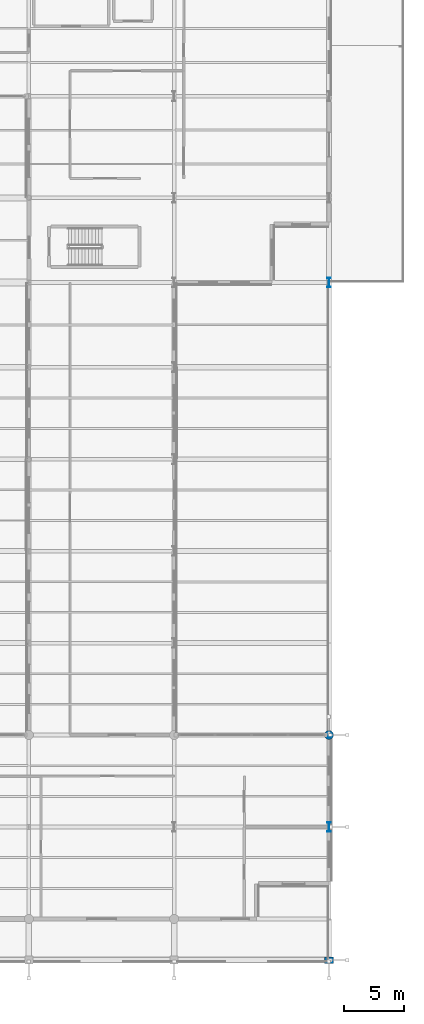
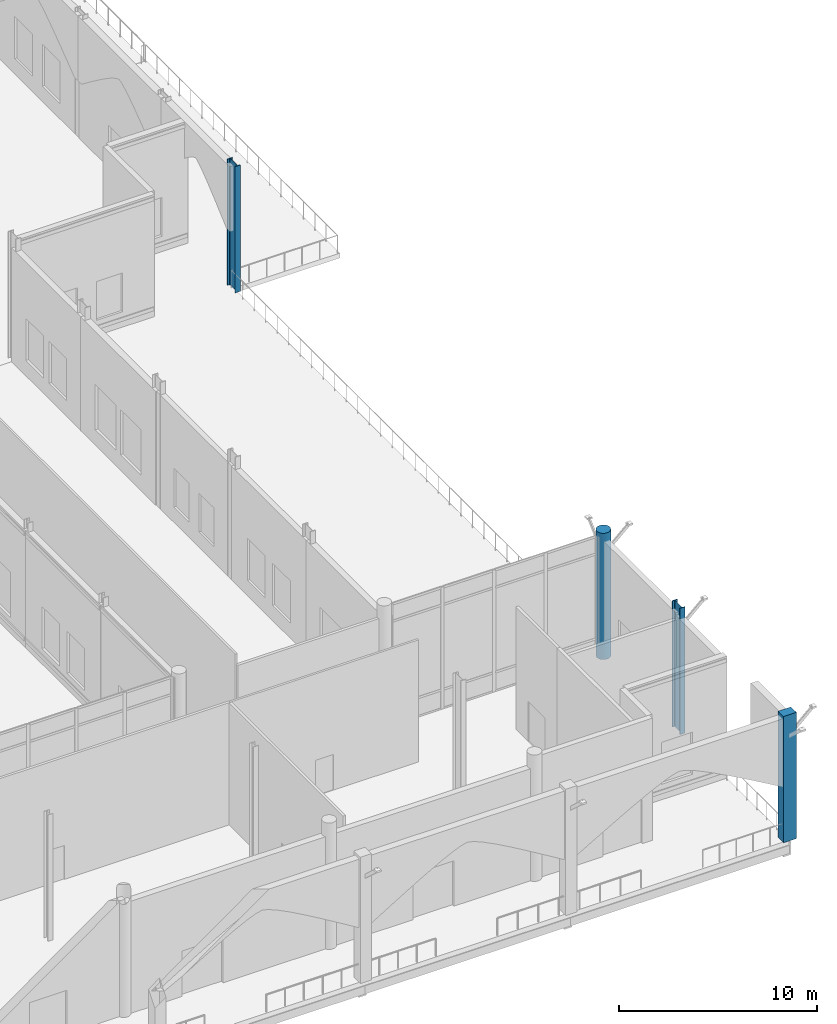
# One storey, part 18 of 176: 4 columns.
"""IFC4 building model written with IfcOpenShell, lengths in metres."""

from ifc_helpers import new_model, si_unit, direction, frame, origin, origin_2d, place, context, subcontext, project, spatial, rectangle, circle, i_section, extrude, material, material_profile, profile_set, type_object, element, save


model = new_model("IFC4")

# Units and contexts
model_context = context("Model", 3, precision=1e-05, world=origin(), true_north=direction((0.0, 1.0)))
body_context = subcontext(model_context, "Body", "Model", "MODEL_VIEW")
ifc_project = project(units=[si_unit("LENGTHUNIT", "METRE"), si_unit("AREAUNIT", "SQUARE_METRE"), si_unit("VOLUMEUNIT", "CUBIC_METRE"), si_unit("PLANEANGLEUNIT", "RADIAN"), si_unit("MASSUNIT", "GRAM", prefix="KILO")], contexts=[model_context])

# Site, building, storey
site_placement = place(None, origin())
site = spatial("IfcSite", under=ifc_project, at=site_placement, CompositionType="ELEMENT")
building_placement = place(site_placement, origin())
building = spatial("IfcBuilding", under=site, at=building_placement, Name="Vekula Escarpment Museum", CompositionType="ELEMENT")
storey_placement = place(building_placement, origin())
storey = spatial("IfcBuildingStorey", under=building, at=storey_placement, Name="L01", CompositionType="ELEMENT", Elevation=0.0)

# Columns
ifc_material_1 = material(Name="Concrete C35/45", Category="concrete")
ifc_material_profile_1 = material_profile(ifc_material_1, circle(Radius=0.375, at=origin_2d()), Name="RC COL D750")
ifc_profile_set_1 = profile_set([ifc_material_profile_1], Name="Concrete C35/45")
column_type_1 = type_object("IfcColumnType", Name="COL-RC-D750", PredefinedType="COLUMN", material=ifc_profile_set_1)
column_1_placement = place(storey_placement, frame((191.800048828125, 15.199951171875, 0.0), z_axis=(0.0, 0.0, 1.0), x_axis=(1.0, 0.0, 0.0)))
element("IfcColumn", 1, at=column_1_placement, inside=storey, type_object=column_type_1, Name="Column L01 (191.8,15.2)", PredefinedType="COLUMN", context=body_context, shape_type="SweptSolid", body=[
    extrude(circle(Radius=0.375, at=origin_2d()), origin(), (0.0, 0.0, 1.0), 7.800048828125),
])
ifc_material_2 = material(Name="Steel S355", Category="steel")
ifc_material_profile_2 = material_profile(ifc_material_2, i_section(OverallWidth=0.300048828125, OverallDepth=0.800048828125, WebThickness=0.017578125, FlangeThickness=0.032958984375, FilletRadius=0.030029296875, at=origin_2d()), Name="HEB 800")
ifc_profile_set_2 = profile_set([ifc_material_profile_2], Name="Steel S355")
column_type_2 = type_object("IfcColumnType", Name="COL-S-HEB800", PredefinedType="COLUMN", material=ifc_profile_set_2)
for number, where, z_axis, x_axis, name in (
    (2, (191.800048828125, 7.60009765625, 0.0), (0.0, 0.0, 1.0), (1.0, 0.0, 0.0), "Column L01 (191.8,7.6)"),
    (3, (191.800048828125, 52.60009765625, 0.0), (0.0, 0.0, 1.0), (1.0, 0.0, 0.0), "Column L01 (191.8,52.6)"),
):
    element("IfcColumn", number, at=place(storey_placement, frame(where, z_axis=z_axis, x_axis=x_axis)), inside=storey, type_object=column_type_2, Name=name, PredefinedType="COLUMN", context=body_context, shape_type="SweptSolid", body=[
        extrude(i_section(OverallWidth=0.300048828125, OverallDepth=0.800048828125, WebThickness=0.017578125, FlangeThickness=0.032958984375, FilletRadius=0.030029296875, at=origin_2d()), origin(), (0.0, 0.0, 1.0), 7.800048828125),
    ])
ifc_material_3 = material(Name="Inkisi arkosic sandstone masonry", Category="masonry")
ifc_material_profile_3 = material_profile(ifc_material_3, rectangle(XDim=0.75, YDim=0.550048828125, at=origin_2d()), Name="PIER 750x550")
ifc_profile_set_3 = profile_set([ifc_material_profile_3], Name="Inkisi arkosic sandstone masonry")
column_type_3 = type_object("IfcColumnType", Name="PIL-ALM-750", PredefinedType="PILASTER", material=ifc_profile_set_3)
column_2_placement = place(storey_placement, frame((191.800048828125, -3.39990234375, 0.0), z_axis=(0.0, 0.0, 1.0), x_axis=(1.0, 0.0, 0.0)))
element("IfcColumn", 4, at=column_2_placement, inside=storey, type_object=column_type_3, Name="Column L01 (191.8,-3.4)", PredefinedType="PILASTER", context=body_context, shape_type="SweptSolid", body=[
    extrude(rectangle(XDim=0.75, YDim=0.550048828125, at=origin_2d()), origin(), (0.0, 0.0, 1.0), 7.800048828125),
])

save(model, "model.ifc")
